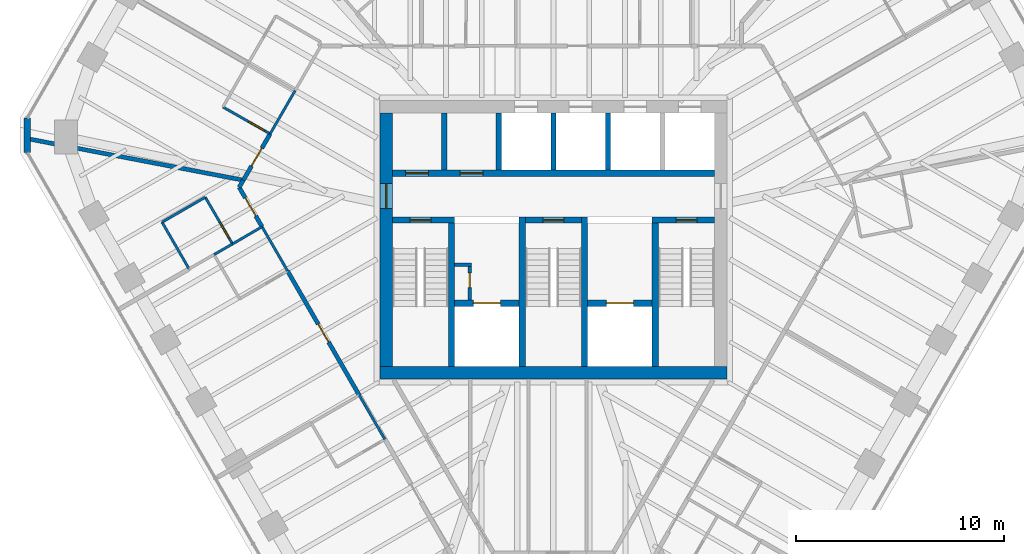
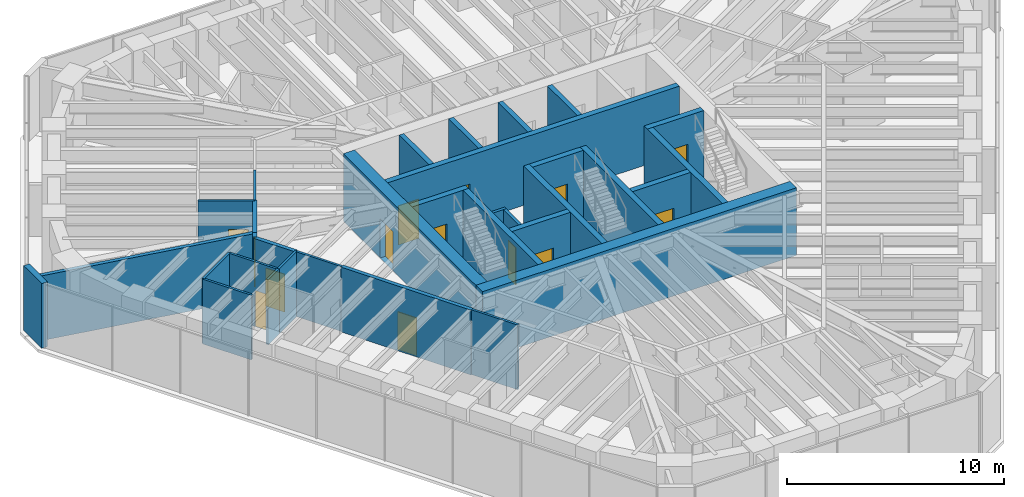
# One storey, part 10 of 14: 33 walls, 14 doors, 14 openings.
"""IFC4 building model written with IfcOpenShell, lengths in metres."""

from ifc_helpers import new_model, si_unit, direction, frame, frame_2d, origin, place, context, subcontext, project, spatial, rectangle, extrude, material, layer, layer_set, type_object, element, fill, save


model = new_model("IFC4")

# Units and contexts
model_context = context("Model", 3, precision=1e-05, world=origin(), true_north=direction((0.0, 1.0)))
body_context = subcontext(model_context, "Body", "Model", "MODEL_VIEW")
ifc_project = project(units=[si_unit("LENGTHUNIT", "METRE"), si_unit("AREAUNIT", "SQUARE_METRE"), si_unit("VOLUMEUNIT", "CUBIC_METRE"), si_unit("PLANEANGLEUNIT", "RADIAN"), si_unit("MASSUNIT", "GRAM", prefix="KILO")], contexts=[model_context])

# Site, building, storey
site_placement = place(None, origin())
site = spatial("IfcSite", under=ifc_project, at=site_placement, CompositionType="ELEMENT")
building_placement = place(site_placement, origin())
building = spatial("IfcBuilding", under=site, at=building_placement, Name="Sandreach Pilgrim Tower", CompositionType="ELEMENT")
storey_placement = place(building_placement, frame((0.0, 0.0, 264.60009765625)))
storey = spatial("IfcBuildingStorey", under=building, at=storey_placement, Name="L66", CompositionType="ELEMENT", Elevation=264.60009765625)

# Walls
ifc_material_1 = material(Name="Moisture-resistant gypsum board on steel studs", Category="steel")
ifc_layer_1 = layer(ifc_material_1, 0.1201171875)
ifc_layer_set_1 = layer_set([ifc_layer_1], Name="Bathroom partition 120")
wall_type_1 = type_object("IfcWallType", Name="Bathroom partition 120", PredefinedType="PARTITIONING", material=ifc_layer_set_1)
wall_1_placement = place(storey_placement, frame((-18.830078125, 0.85009765625, 0.0), z_axis=(0.0, 0.0, 1.0), x_axis=(0.50025099007, -0.865880446098, 0.0)))
element("IfcWall", 1, at=wall_1_placement, inside=storey, type_object=wall_type_1, Name="Bathroom partition L66-004", PredefinedType="PARTITIONING", context=body_context, shape_type="SweptSolid", body=[
    extrude(rectangle(XDim=2.598876953125, YDim=0.1201171875, at=frame_2d((1.29931640625, 0.0))), origin(), (0.0, 0.0, 1.0), 3.639892578125),
])
wall_2_placement = place(storey_placement, frame((-16.75, 2.050048828125, 0.0), z_axis=(0.0, 0.0, 1.0), x_axis=(-0.866202511239, -0.499693115345, 0.0)))
element("IfcWall", 2, at=wall_2_placement, inside=storey, type_object=wall_type_1, Name="Bathroom partition L66-007", PredefinedType="PARTITIONING", context=body_context, shape_type="SweptSolid", body=[
    extrude(rectangle(XDim=2.4013671875, YDim=0.1201171875, at=frame_2d((1.20068359375, 0.0))), origin(), (0.0, 0.0, 1.0), 3.639892578125),
])
wall_3_placement = place(storey_placement, frame((-16.330078125, -0.7099609375, 0.0), z_axis=(0.0, 0.0, 1.0), x_axis=(0.867671417222, 0.497138121387, 0.0)))
element("IfcWall", 3, at=wall_3_placement, inside=storey, type_object=wall_type_1, Name="Bathroom partition L66-008", PredefinedType="PARTITIONING", context=body_context, shape_type="SweptSolid", body=[
    extrude(rectangle(XDim=1.02587890625, YDim=0.1201171875, at=frame_2d((0.512939453125, 0.0))), origin(), (0.0, 0.0, 1.0), 3.639892578125),
])

# Wall, opening, door
wall_4_placement = place(storey_placement, frame((-15.89990234375, 6.389892578125, 0.0), z_axis=(0.0, 0.0, 1.0), x_axis=(0.869431908012, -0.494052787999, 0.0)))
wall_4 = element("IfcWall", 4, at=wall_4_placement, inside=storey, type_object=wall_type_1, Name="Bathroom partition L66-011", PredefinedType="PARTITIONING", context=body_context, shape_type="SweptSolid", body=[
    extrude(rectangle(XDim=2.610595703125, YDim=0.1201171875, at=frame_2d((1.30517578125, 0.0))), origin(), (0.0, 0.0, 1.0), 3.639892578125),
])
opening_1_placement = place(wall_4_placement, frame((1.410888671875, 0.0, 0.0)))
opening_1 = element("IfcOpeningElement", 5, at=opening_1_placement, cuts=wall_4, Name="Opening D09-16B", PredefinedType="OPENING", context=body_context, shape_type="SweptSolid", body=[
    extrude(rectangle(XDim=0.89990234375, YDim=2.030029296875, at=frame_2d((0.449951171875, 1.01513671875))), frame((0.0, 0.06005859375, 0.0), z_axis=(0.0, -1.0, 0.0), x_axis=(1.0, 0.0, 0.0)), (0.0, 0.0, 1.0), 0.1201171875),
])
ifc_material_2 = material(Name="Timber door, steel frame", Category="steel")
door_type_1 = type_object("IfcDoorType", Name="Bathroom door", OperationType="SINGLE_SWING_LEFT", PredefinedType="DOOR", material=ifc_material_2)
door_1_placement = place(opening_1_placement, origin())
door_1 = element("IfcDoor", 6, at=door_1_placement, inside=storey, type_object=door_type_1, Name="Door 6616B", OperationType="SINGLE_SWING_RIGHT", OverallHeight=2.030029296875, OverallWidth=0.89990234375, PredefinedType="DOOR", context=body_context, shape_type="SweptSolid", body=[
    extrude(rectangle(XDim=0.89990234375, YDim=2.030029296875, at=frame_2d((0.449951171875, 1.01513671875))), frame((0.0, 0.02490234375, 0.0), z_axis=(0.0, -1.0, 0.0), x_axis=(1.0, 0.0, 0.0)), (0.0, 0.0, 1.0), 0.050048828125),
])
fill(opening_1, door_1)

wall_5_placement = place(storey_placement, frame((-15.43994140625, -0.199951171875, 0.0), z_axis=(0.0, 0.0, 1.0), x_axis=(-0.503171227198, 0.864186736834, 0.0)))
wall_5 = element("IfcWall", 7, at=wall_5_placement, inside=storey, type_object=wall_type_1, Name="Bathroom partition L66-012", PredefinedType="PARTITIONING", context=body_context, shape_type="SweptSolid", body=[
    extrude(rectangle(XDim=2.603515625, YDim=0.1201171875, at=frame_2d((1.3017578125, 0.0))), origin(), (0.0, 0.0, 1.0), 3.639892578125),
])
opening_2_placement = place(wall_5_placement, frame((0.300048828125, 0.0, 0.0)))
opening_2 = element("IfcOpeningElement", 8, at=opening_2_placement, cuts=wall_5, Name="Opening D09-15B", PredefinedType="OPENING", context=body_context, shape_type="SweptSolid", body=[
    extrude(rectangle(XDim=0.89990234375, YDim=2.030029296875, at=frame_2d((0.449951171875, 1.01513671875))), frame((0.0, 0.06005859375, 0.0), z_axis=(0.0, -1.0, 0.0), x_axis=(1.0, 0.0, 0.0)), (0.0, 0.0, 1.0), 0.1201171875),
])
door_2_placement = place(opening_2_placement, origin())
door_2 = element("IfcDoor", 9, at=door_2_placement, inside=storey, type_object=door_type_1, Name="Door 6615B", OperationType="SINGLE_SWING_LEFT", OverallHeight=2.030029296875, OverallWidth=0.89990234375, PredefinedType="DOOR", context=body_context, shape_type="SweptSolid", body=[
    extrude(rectangle(XDim=0.89990234375, YDim=2.030029296875, at=frame_2d((0.449951171875, 1.01513671875))), frame((0.0, 0.02490234375, 0.0), z_axis=(0.0, -1.0, 0.0), x_axis=(1.0, 0.0, 0.0)), (0.0, 0.0, 1.0), 0.050048828125),
])
fill(opening_2, door_2)

# Walls
wall_6_placement = place(storey_placement, frame((-15.43994140625, -0.199951171875, 0.0), z_axis=(0.0, 0.0, 1.0), x_axis=(0.863304753898, 0.504682971673, 0.0)))
element("IfcWall", 10, at=wall_6_placement, inside=storey, type_object=wall_type_1, Name="Bathroom partition L66-013", PredefinedType="PARTITIONING", context=body_context, shape_type="SweptSolid", body=[
    extrude(rectangle(XDim=1.644775390625, YDim=0.1201171875, at=frame_2d((0.822265625, 0.0))), origin(), (0.0, 0.0, 1.0), 3.639892578125),
])
wall_7_placement = place(storey_placement, frame((-14.02001953125, 0.6298828125, 0.0), z_axis=(0.0, 0.0, 1.0), x_axis=(0.500089055364, -0.86597398154, 0.0)))
element("IfcWall", 11, at=wall_7_placement, inside=storey, type_object=wall_type_1, Name="Bathroom partition L66-020", PredefinedType="PARTITIONING", context=body_context, shape_type="SweptSolid", body=[
    extrude(rectangle(XDim=2.45947265625, YDim=0.1201171875, at=frame_2d((1.229736328125, 0.0))), origin(), (0.0, 0.0, 1.0), 3.639892578125),
])
wall_8_placement = place(storey_placement, frame((-13.6298828125, 5.10009765625, 0.0), z_axis=(0.0, 0.0, 1.0), x_axis=(0.499737123639, 0.866177122335, 0.0)))
element("IfcWall", 12, at=wall_8_placement, inside=storey, type_object=wall_type_1, Name="Bathroom partition L66-021", PredefinedType="PARTITIONING", context=body_context, shape_type="SweptSolid", body=[
    extrude(rectangle(XDim=2.401123046875, YDim=0.1201171875, at=frame_2d((1.20068359375, 0.0))), origin(), (0.0, 0.0, 1.0), 3.639892578125),
])
wall_9_placement = place(storey_placement, frame((-9.340087890625, -7.47998046875, 0.0), z_axis=(0.0, 0.0, 1.0), x_axis=(0.501813488763, -0.864975850817, 0.0)))
element("IfcWall", 13, at=wall_9_placement, inside=storey, type_object=wall_type_1, Name="Bathroom partition L66-034", PredefinedType="PARTITIONING", context=body_context, shape_type="SweptSolid", body=[
    extrude(rectangle(XDim=2.451171875, YDim=0.1201171875, at=frame_2d((1.2255859375, 0.0))), origin(), (0.0, 0.0, 1.0), 3.639892578125),
])
ifc_material_3 = material(Name="Concrete 10000 psi", Category="concrete")
ifc_layer_2 = layer(ifc_material_3, 0.300048828125)
ifc_layer_set_2 = layer_set([ifc_layer_2], Name="Core inner wall 300")
wall_type_2 = type_object("IfcWallType", Name="Core inner wall 300", PredefinedType="SHEAR", material=ifc_layer_set_2)
for number, where, z_axis, x_axis, name in (
    (14, (-4.89990234375, -6.10009765625, 0.0), (0.0, 0.0, 1.0), (0.0, 1.0, 0.0), "Core wall I0 L66"),
    (15, (-1.5, -6.10009765625, 0.0), (0.0, 0.0, 1.0), (0.0, 1.0, 0.0), "Core wall I1 L66"),
    (16, (1.5, -6.10009765625, 0.0), (0.0, 0.0, 1.0), (0.0, 1.0, 0.0), "Core wall I2 L66"),
    (17, (4.89990234375, -6.10009765625, 0.0), (0.0, 0.0, 1.0), (0.0, 1.0, 0.0), "Core wall I3 L66"),
):
    element("IfcWall", number, at=place(storey_placement, frame(where, z_axis=z_axis, x_axis=x_axis)), inside=storey, type_object=wall_type_2, Name=name, PredefinedType="SHEAR", context=body_context, shape_type="SweptSolid", body=[
        extrude(rectangle(XDim=7.2001953125, YDim=0.300048828125, at=frame_2d((3.60009765625, 0.0))), origin(), (0.0, 0.0, 1.0), 3.7998046875),
    ])

# Wall, opening, door
wall_10_placement = place(storey_placement, frame((-7.75, 0.949951171875, 0.0), z_axis=(0.0, 0.0, 1.0), x_axis=(1.0, 0.0, 0.0)))
wall_10 = element("IfcWall", 18, at=wall_10_placement, inside=storey, type_object=wall_type_2, Name="Core wall SN1 L66", PredefinedType="SHEAR", context=body_context, shape_type="SweptSolid", body=[
    extrude(rectangle(XDim=3.0, YDim=0.300048828125, at=frame_2d((1.5, 0.0))), origin(), (0.0, 0.0, 1.0), 3.7998046875),
])
opening_3_placement = place(wall_10_placement, frame((0.85009765625, 0.0, 0.0)))
opening_3 = element("IfcOpeningElement", 19, at=opening_3_placement, cuts=wall_10, Name="Opening D10S-ST1", PredefinedType="OPENING", context=body_context, shape_type="SweptSolid", body=[
    extrude(rectangle(XDim=1.0, YDim=2.199951171875, at=frame_2d((0.5, 1.10009765625))), frame((0.0, 0.14990234375, 0.0), z_axis=(0.0, -1.0, 0.0), x_axis=(1.0, 0.0, 0.0)), (0.0, 0.0, 1.0), 0.300048828125),
])
ifc_material_4 = material(Name="Steel door and frame", Category="steel")
door_type_2 = type_object("IfcDoorType", Name="Stair door", OperationType="SINGLE_SWING_LEFT", PredefinedType="DOOR", material=ifc_material_4)
door_3_placement = place(opening_3_placement, origin())
door_3 = element("IfcDoor", 20, at=door_3_placement, inside=storey, type_object=door_type_2, Name="Stair door ST1 L66", OperationType="SINGLE_SWING_LEFT", OverallHeight=2.199951171875, OverallWidth=1.0, PredefinedType="DOOR", context=body_context, shape_type="SweptSolid", body=[
    extrude(rectangle(XDim=1.0, YDim=2.199951171875, at=frame_2d((0.5, 1.10009765625))), frame((0.0, 0.02490234375, 0.0), z_axis=(0.0, -1.0, 0.0), x_axis=(1.0, 0.0, 0.0)), (0.0, 0.0, 1.0), 0.050048828125),
])
fill(opening_3, door_3)

wall_11_placement = place(storey_placement, frame((-1.35009765625, 0.949951171875, 0.0), z_axis=(0.0, 0.0, 1.0), x_axis=(1.0, 0.0, 0.0)))
wall_11 = element("IfcWall", 21, at=wall_11_placement, inside=storey, type_object=wall_type_2, Name="Core wall SN3 L66", PredefinedType="SHEAR", context=body_context, shape_type="SweptSolid", body=[
    extrude(rectangle(XDim=2.7001953125, YDim=0.300048828125, at=frame_2d((1.35009765625, 0.0))), origin(), (0.0, 0.0, 1.0), 3.7998046875),
])
opening_4_placement = place(wall_11_placement, frame((0.85009765625, 0.0, 0.0)))
opening_4 = element("IfcOpeningElement", 22, at=opening_4_placement, cuts=wall_11, Name="Opening D10S-ST3", PredefinedType="OPENING", context=body_context, shape_type="SweptSolid", body=[
    extrude(rectangle(XDim=1.0, YDim=2.199951171875, at=frame_2d((0.5, 1.10009765625))), frame((0.0, 0.14990234375, 0.0), z_axis=(0.0, -1.0, 0.0), x_axis=(1.0, 0.0, 0.0)), (0.0, 0.0, 1.0), 0.300048828125),
])
door_4_placement = place(opening_4_placement, origin())
door_4 = element("IfcDoor", 23, at=door_4_placement, inside=storey, type_object=door_type_2, Name="Stair door ST3 L66", OperationType="SINGLE_SWING_LEFT", OverallHeight=2.199951171875, OverallWidth=1.0, PredefinedType="DOOR", context=body_context, shape_type="SweptSolid", body=[
    extrude(rectangle(XDim=1.0, YDim=2.199951171875, at=frame_2d((0.5, 1.10009765625))), frame((0.0, 0.02490234375, 0.0), z_axis=(0.0, -1.0, 0.0), x_axis=(1.0, 0.0, 0.0)), (0.0, 0.0, 1.0), 0.050048828125),
])
fill(opening_4, door_4)

wall_12_placement = place(storey_placement, frame((4.75, 0.949951171875, 0.0), z_axis=(0.0, 0.0, 1.0), x_axis=(1.0, 0.0, 0.0)))
wall_12 = element("IfcWall", 24, at=wall_12_placement, inside=storey, type_object=wall_type_2, Name="Core wall SN2 L66", PredefinedType="SHEAR", context=body_context, shape_type="SweptSolid", body=[
    extrude(rectangle(XDim=3.0, YDim=0.300048828125, at=frame_2d((1.5, 0.0))), origin(), (0.0, 0.0, 1.0), 3.7998046875),
])
opening_5_placement = place(wall_12_placement, frame((1.14990234375, 0.0, 0.0)))
opening_5 = element("IfcOpeningElement", 25, at=opening_5_placement, cuts=wall_12, Name="Opening D10S-ST2", PredefinedType="OPENING", context=body_context, shape_type="SweptSolid", body=[
    extrude(rectangle(XDim=1.0, YDim=2.199951171875, at=frame_2d((0.5, 1.10009765625))), frame((0.0, 0.14990234375, 0.0), z_axis=(0.0, -1.0, 0.0), x_axis=(1.0, 0.0, 0.0)), (0.0, 0.0, 1.0), 0.300048828125),
])
door_5_placement = place(opening_5_placement, origin())
door_5 = element("IfcDoor", 26, at=door_5_placement, inside=storey, type_object=door_type_2, Name="Stair door ST2 L66", OperationType="SINGLE_SWING_RIGHT", OverallHeight=2.199951171875, OverallWidth=1.0, PredefinedType="DOOR", context=body_context, shape_type="SweptSolid", body=[
    extrude(rectangle(XDim=1.0, YDim=2.199951171875, at=frame_2d((0.5, 1.10009765625))), frame((0.0, 0.02490234375, 0.0), z_axis=(0.0, -1.0, 0.0), x_axis=(1.0, 0.0, 0.0)), (0.0, 0.0, 1.0), 0.050048828125),
])
fill(opening_5, door_5)

wall_13_placement = place(storey_placement, frame((-4.75, -3.050048828125, 0.0), z_axis=(0.0, 0.0, 1.0), x_axis=(1.0, 0.0, 0.0)))
wall_13 = element("IfcWall", 27, at=wall_13_placement, inside=storey, type_object=wall_type_2, Name="Core wall FL1 L66", PredefinedType="SHEAR", context=body_context, shape_type="SweptSolid", body=[
    extrude(rectangle(XDim=3.10009765625, YDim=0.300048828125, at=frame_2d((1.550048828125, 0.0))), origin(), (0.0, 0.0, 1.0), 3.7998046875),
])
opening_6_placement = place(wall_13_placement, frame((0.89990234375, 0.0, 0.0)))
opening_6 = element("IfcOpeningElement", 28, at=opening_6_placement, cuts=wall_13, Name="Opening LD13", PredefinedType="OPENING", context=body_context, shape_type="SweptSolid", body=[
    extrude(rectangle(XDim=1.300048828125, YDim=2.10009765625, at=frame_2d((0.64990234375, 1.050048828125))), frame((0.0, 0.14990234375, 0.0), z_axis=(0.0, -1.0, 0.0), x_axis=(1.0, 0.0, 0.0)), (0.0, 0.0, 1.0), 0.300048828125),
])
ifc_material_5 = material(Name="Steel door and frame", Category="steel")
door_type_3 = type_object("IfcDoorType", Name="Fire service lift landing door", OperationType="DOUBLE_DOOR_SLIDING", PredefinedType="DOOR", material=ifc_material_5)
door_6_placement = place(opening_6_placement, origin())
door_6 = element("IfcDoor", 29, at=door_6_placement, inside=storey, type_object=door_type_3, Name="Lift landing door FS1 L66", OperationType="DOUBLE_DOOR_SLIDING", OverallHeight=2.10009765625, OverallWidth=1.300048828125, PredefinedType="DOOR", context=body_context, shape_type="SweptSolid", body=[
    extrude(rectangle(XDim=1.300048828125, YDim=2.10009765625, at=frame_2d((0.64990234375, 1.050048828125))), frame((0.0, 0.02490234375, 0.0), z_axis=(0.0, -1.0, 0.0), x_axis=(1.0, 0.0, 0.0)), (0.0, 0.0, 1.0), 0.050048828125),
])
fill(opening_6, door_6)

wall_14_placement = place(storey_placement, frame((1.64990234375, -3.050048828125, 0.0), z_axis=(0.0, 0.0, 1.0), x_axis=(1.0, 0.0, 0.0)))
wall_14 = element("IfcWall", 30, at=wall_14_placement, inside=storey, type_object=wall_type_2, Name="Core wall FL2 L66", PredefinedType="SHEAR", context=body_context, shape_type="SweptSolid", body=[
    extrude(rectangle(XDim=3.10009765625, YDim=0.300048828125, at=frame_2d((1.550048828125, 0.0))), origin(), (0.0, 0.0, 1.0), 3.7998046875),
])
opening_7_placement = place(wall_14_placement, frame((0.89990234375, 0.0, 0.0)))
opening_7 = element("IfcOpeningElement", 31, at=opening_7_placement, cuts=wall_14, Name="Opening LD13", PredefinedType="OPENING", context=body_context, shape_type="SweptSolid", body=[
    extrude(rectangle(XDim=1.300048828125, YDim=2.10009765625, at=frame_2d((0.64990234375, 1.050048828125))), frame((0.0, 0.14990234375, 0.0), z_axis=(0.0, -1.0, 0.0), x_axis=(1.0, 0.0, 0.0)), (0.0, 0.0, 1.0), 0.300048828125),
])
door_7_placement = place(opening_7_placement, origin())
door_7 = element("IfcDoor", 32, at=door_7_placement, inside=storey, type_object=door_type_3, Name="Lift landing door FS2 L66", OperationType="DOUBLE_DOOR_SLIDING", OverallHeight=2.10009765625, OverallWidth=1.300048828125, PredefinedType="DOOR", context=body_context, shape_type="SweptSolid", body=[
    extrude(rectangle(XDim=1.300048828125, YDim=2.10009765625, at=frame_2d((0.64990234375, 1.050048828125))), frame((0.0, 0.02490234375, 0.0), z_axis=(0.0, -1.0, 0.0), x_axis=(1.0, 0.0, 0.0)), (0.0, 0.0, 1.0), 0.050048828125),
])
fill(opening_7, door_7)

# Wall, openings, doors
wall_15_placement = place(storey_placement, frame((-7.75, 3.199951171875, 0.0), z_axis=(0.0, 0.0, 1.0), x_axis=(1.0, 0.0, 0.0)))
wall_15 = element("IfcWall", 33, at=wall_15_placement, inside=storey, type_object=wall_type_2, Name="Core wall PN L66", PredefinedType="SHEAR", context=body_context, shape_type="SweptSolid", body=[
    extrude(rectangle(XDim=15.5, YDim=0.300048828125, at=frame_2d((7.75, 0.0))), origin(), (0.0, 0.0, 1.0), 3.7998046875),
])
opening_8_placement = place(wall_15_placement, frame((0.637451171875, 0.0, 0.0)))
opening_8 = element("IfcOpeningElement", 34, at=opening_8_placement, cuts=wall_15, Name="Opening D11L", PredefinedType="OPENING", context=body_context, shape_type="SweptSolid", body=[
    extrude(rectangle(XDim=1.10009765625, YDim=2.199951171875, at=frame_2d((0.550048828125, 1.10009765625))), frame((0.0, 0.14990234375, 0.0), z_axis=(0.0, -1.0, 0.0), x_axis=(1.0, 0.0, 0.0)), (0.0, 0.0, 1.0), 0.300048828125),
])
opening_9_placement = place(wall_15_placement, frame((3.262451171875, 0.0, 0.0)))
opening_9 = element("IfcOpeningElement", 35, at=opening_9_placement, cuts=wall_15, Name="Opening D11L", PredefinedType="OPENING", context=body_context, shape_type="SweptSolid", body=[
    extrude(rectangle(XDim=1.10009765625, YDim=2.199951171875, at=frame_2d((0.550048828125, 1.10009765625))), frame((0.0, 0.14990234375, 0.0), z_axis=(0.0, -1.0, 0.0), x_axis=(1.0, 0.0, 0.0)), (0.0, 0.0, 1.0), 0.300048828125),
])
ifc_material_6 = material(Name="Steel door and frame, smoke seals", Category="steel")
door_type_4 = type_object("IfcDoorType", Name="Core room door", OperationType="SINGLE_SWING_LEFT", PredefinedType="DOOR", material=ifc_material_6)
door_8_placement = place(opening_8_placement, origin())
door_8 = element("IfcDoor", 36, at=door_8_placement, inside=storey, type_object=door_type_4, Name="Door butler pantry 66K1", OperationType="SINGLE_SWING_LEFT", OverallHeight=2.199951171875, OverallWidth=1.10009765625, PredefinedType="DOOR", context=body_context, shape_type="SweptSolid", body=[
    extrude(rectangle(XDim=1.10009765625, YDim=2.199951171875, at=frame_2d((0.550048828125, 1.10009765625))), frame((0.0, 0.02490234375, 0.0), z_axis=(0.0, -1.0, 0.0), x_axis=(1.0, 0.0, 0.0)), (0.0, 0.0, 1.0), 0.050048828125),
])
fill(opening_8, door_8)
door_9_placement = place(opening_9_placement, origin())
door_9 = element("IfcDoor", 37, at=door_9_placement, inside=storey, type_object=door_type_4, Name="Door storage room 66K2", OperationType="SINGLE_SWING_LEFT", OverallHeight=2.199951171875, OverallWidth=1.10009765625, PredefinedType="DOOR", context=body_context, shape_type="SweptSolid", body=[
    extrude(rectangle(XDim=1.10009765625, YDim=2.199951171875, at=frame_2d((0.550048828125, 1.10009765625))), frame((0.0, 0.02490234375, 0.0), z_axis=(0.0, -1.0, 0.0), x_axis=(1.0, 0.0, 0.0)), (0.0, 0.0, 1.0), 0.050048828125),
])
fill(opening_9, door_9)

# Wall
ifc_material_7 = material(Name="Concrete 10000 psi", Category="concrete")
ifc_layer_3 = layer(ifc_material_7, 0.60009765625)
ifc_layer_set_3 = layer_set([ifc_layer_3], Name="Core wall 600")
wall_type_3 = type_object("IfcWallType", Name="Core wall 600", PredefinedType="SHEAR", material=ifc_layer_set_3)
wall_16_placement = place(storey_placement, frame((-8.35009765625, -6.39990234375, 0.0), z_axis=(0.0, 0.0, 1.0), x_axis=(1.0, 0.0, 0.0)))
element("IfcWall", 38, at=wall_16_placement, inside=storey, type_object=wall_type_3, Name="Core wall S L66", PredefinedType="SHEAR", context=body_context, shape_type="SweptSolid", body=[
    extrude(rectangle(XDim=16.7001953125, YDim=0.60009765625, at=frame_2d((8.35009765625, 0.0))), origin(), (0.0, 0.0, 1.0), 3.7998046875),
])

# Wall, opening, door
wall_17_placement = place(storey_placement, frame((-8.050048828125, -6.10009765625, 0.0), z_axis=(0.0, 0.0, 1.0), x_axis=(0.0, 1.0, 0.0)))
wall_17 = element("IfcWall", 39, at=wall_17_placement, inside=storey, type_object=wall_type_3, Name="Core wall W L66", PredefinedType="SHEAR", context=body_context, shape_type="SweptSolid", body=[
    extrude(rectangle(XDim=12.2001953125, YDim=0.60009765625, at=frame_2d((6.10009765625, 0.0))), origin(), (0.0, 0.0, 1.0), 3.7998046875),
])
opening_10_placement = place(wall_17_placement, frame((7.60009765625, 0.0, 0.0)))
opening_10 = element("IfcOpeningElement", 40, at=opening_10_placement, cuts=wall_17, Name="Opening D12F-W", PredefinedType="OPENING", context=body_context, shape_type="SweptSolid", body=[
    extrude(rectangle(XDim=1.199951171875, YDim=2.199951171875, at=frame_2d((0.60009765625, 1.10009765625))), frame((0.0, 0.300048828125, 0.0), z_axis=(0.0, -1.0, 0.0), x_axis=(1.0, 0.0, 0.0)), (0.0, 0.0, 1.0), 0.60009765625),
])
ifc_material_8 = material(Name="Steel door and frame", Category="steel")
door_type_5 = type_object("IfcDoorType", Name="Fire lobby door", OperationType="SINGLE_SWING_LEFT", PredefinedType="DOOR", material=ifc_material_8)
door_10_placement = place(opening_10_placement, origin())
door_10 = element("IfcDoor", 41, at=door_10_placement, inside=storey, type_object=door_type_5, Name="Fire service lobby door W L66", OperationType="SINGLE_SWING_RIGHT", OverallHeight=2.199951171875, OverallWidth=1.199951171875, PredefinedType="DOOR", context=body_context, shape_type="SweptSolid", body=[
    extrude(rectangle(XDim=1.199951171875, YDim=2.199951171875, at=frame_2d((0.60009765625, 1.10009765625))), frame((0.0, 0.02490234375, 0.0), z_axis=(0.0, -1.0, 0.0), x_axis=(1.0, 0.0, 0.0)), (0.0, 0.0, 1.0), 0.050048828125),
])
fill(opening_10, door_10)

# Wall
ifc_material_9 = material(Name="Gypsum board on steel studs, two layers each side", Category="steel")
ifc_layer_4 = layer(ifc_material_9, 0.199951171875)
ifc_layer_set_4 = layer_set([ifc_layer_4], Name="Corridor wall 200")
wall_type_4 = type_object("IfcWallType", Name="Corridor wall 200", PredefinedType="PARTITIONING", material=ifc_layer_set_4)
wall_18_placement = place(storey_placement, frame((-15.1201171875, 2.530029296875, 0.0), z_axis=(0.0, 0.0, 1.0), x_axis=(0.507290461451, 0.861775137562, 0.0)))
element("IfcWall", 42, at=wall_18_placement, inside=storey, type_object=wall_type_4, Name="Corridor wall L66-014", PredefinedType="PARTITIONING", context=body_context, shape_type="SweptSolid", body=[
    extrude(rectangle(XDim=0.39453125, YDim=0.199951171875, at=frame_2d((0.197265625, 0.0))), origin(), (0.0, 0.0, 1.0), 3.639892578125),
])

# Wall, opening, door
wall_19_placement = place(storey_placement, frame((-15.1201171875, 2.530029296875, 0.0), z_axis=(0.0, 0.0, 1.0), x_axis=(0.501088872721, -0.865395829453, 0.0)))
wall_19 = element("IfcWall", 43, at=wall_19_placement, inside=storey, type_object=wall_type_4, Name="Corridor wall L66-015", PredefinedType="PARTITIONING", context=body_context, shape_type="SweptSolid", body=[
    extrude(rectangle(XDim=2.1953125, YDim=0.199951171875, at=frame_2d((1.09765625, 0.0))), origin(), (0.0, 0.0, 1.0), 3.639892578125),
])
opening_11_placement = place(wall_19_placement, frame((0.59765625, 0.0, 0.0)))
opening_11 = element("IfcOpeningElement", 44, at=opening_11_placement, cuts=wall_19, Name="Opening D10-15", PredefinedType="OPENING", context=body_context, shape_type="SweptSolid", body=[
    extrude(rectangle(XDim=1.0, YDim=2.1298828125, at=frame_2d((0.5, 1.06494140625))), frame((0.0, 0.10009765625, 0.0), z_axis=(0.0, -1.0, 0.0), x_axis=(1.0, 0.0, 0.0)), (0.0, 0.0, 1.0), 0.199951171875),
])
ifc_material_10 = material(Name="Steel door and frame", Category="steel")
door_type_6 = type_object("IfcDoorType", Name="Guest room entry door", OperationType="SINGLE_SWING_LEFT", PredefinedType="DOOR", material=ifc_material_10)
door_11_placement = place(opening_11_placement, origin())
door_11 = element("IfcDoor", 45, at=door_11_placement, inside=storey, type_object=door_type_6, Name="Door 6615", OperationType="SINGLE_SWING_LEFT", OverallHeight=2.1298828125, OverallWidth=1.0, PredefinedType="DOOR", context=body_context, shape_type="SweptSolid", body=[
    extrude(rectangle(XDim=1.0, YDim=2.1298828125, at=frame_2d((0.5, 1.06494140625))), frame((0.0, 0.02490234375, 0.0), z_axis=(0.0, -1.0, 0.0), x_axis=(1.0, 0.0, 0.0)), (0.0, 0.0, 1.0), 0.050048828125),
])
fill(opening_11, door_11)

wall_20_placement = place(storey_placement, frame((-14.919921875, 2.8701171875, 0.0), z_axis=(0.0, 0.0, 1.0), x_axis=(0.500714932888, 0.865612243434, 0.0)))
wall_20 = element("IfcWall", 46, at=wall_20_placement, inside=storey, type_object=wall_type_4, Name="Corridor wall L66-017", PredefinedType="PARTITIONING", context=body_context, shape_type="SweptSolid", body=[
    extrude(rectangle(XDim=2.575927734375, YDim=0.199951171875, at=frame_2d((1.2880859375, 0.0))), origin(), (0.0, 0.0, 1.0), 3.639892578125),
])
opening_12_placement = place(wall_20_placement, frame((0.7880859375, 0.0, 0.0)))
opening_12 = element("IfcOpeningElement", 47, at=opening_12_placement, cuts=wall_20, Name="Opening D10-16", PredefinedType="OPENING", context=body_context, shape_type="SweptSolid", body=[
    extrude(rectangle(XDim=1.0, YDim=2.1298828125, at=frame_2d((0.5, 1.06494140625))), frame((0.0, 0.10009765625, 0.0), z_axis=(0.0, -1.0, 0.0), x_axis=(1.0, 0.0, 0.0)), (0.0, 0.0, 1.0), 0.199951171875),
])
door_12_placement = place(opening_12_placement, origin())
door_12 = element("IfcDoor", 48, at=door_12_placement, inside=storey, type_object=door_type_6, Name="Door 6616", OperationType="SINGLE_SWING_LEFT", OverallHeight=2.1298828125, OverallWidth=1.0, PredefinedType="DOOR", context=body_context, shape_type="SweptSolid", body=[
    extrude(rectangle(XDim=1.0, YDim=2.1298828125, at=frame_2d((0.5, 1.06494140625))), frame((0.0, 0.02490234375, 0.0), z_axis=(0.0, -1.0, 0.0), x_axis=(1.0, 0.0, 0.0)), (0.0, 0.0, 1.0), 0.050048828125),
])
fill(opening_12, door_12)

wall_21_placement = place(storey_placement, frame((-12.7900390625, -1.5, 0.0), z_axis=(0.0, 0.0, 1.0), x_axis=(0.499718371597, -0.866187940974, 0.0)))
wall_21 = element("IfcWall", 49, at=wall_21_placement, inside=storey, type_object=wall_type_4, Name="Corridor wall L66-023", PredefinedType="PARTITIONING", context=body_context, shape_type="SweptSolid", body=[
    extrude(rectangle(XDim=6.90380859375, YDim=0.199951171875, at=frame_2d((3.451904296875, 0.0))), origin(), (0.0, 0.0, 1.0), 3.639892578125),
])
opening_13_placement = place(wall_21_placement, frame((2.951904296875, 0.0, 0.0)))
opening_13 = element("IfcOpeningElement", 50, at=opening_13_placement, cuts=wall_21, Name="Opening D10-14", PredefinedType="OPENING", context=body_context, shape_type="SweptSolid", body=[
    extrude(rectangle(XDim=1.0, YDim=2.1298828125, at=frame_2d((0.5, 1.06494140625))), frame((0.0, 0.10009765625, 0.0), z_axis=(0.0, -1.0, 0.0), x_axis=(1.0, 0.0, 0.0)), (0.0, 0.0, 1.0), 0.199951171875),
])
door_13_placement = place(opening_13_placement, origin())
door_13 = element("IfcDoor", 51, at=door_13_placement, inside=storey, type_object=door_type_6, Name="Door 6614", OperationType="SINGLE_SWING_LEFT", OverallHeight=2.1298828125, OverallWidth=1.0, PredefinedType="DOOR", context=body_context, shape_type="SweptSolid", body=[
    extrude(rectangle(XDim=1.0, YDim=2.1298828125, at=frame_2d((0.5, 1.06494140625))), frame((0.0, 0.02490234375, 0.0), z_axis=(0.0, -1.0, 0.0), x_axis=(1.0, 0.0, 0.0)), (0.0, 0.0, 1.0), 0.050048828125),
])
fill(opening_13, door_13)

# Wall
ifc_material_11 = material(Name="Double steel stud acoustic wall, gypsum board", Category="steel")
ifc_layer_5 = layer(ifc_material_11, 0.199951171875)
ifc_layer_set_5 = layer_set([ifc_layer_5], Name="Party wall 200")
wall_type_5 = type_object("IfcWallType", Name="Party wall 200", PredefinedType="PARTITIONING", material=ifc_layer_set_5)
wall_22_placement = place(storey_placement, frame((-25.340576171875, 4.874267578125, 0.0), z_axis=(0.0, 0.0, 1.0), x_axis=(0.982001168061, -0.188874841966, 0.0)))
element("IfcWall", 52, at=wall_22_placement, inside=storey, type_object=wall_type_5, Name="Party wall L66-001", PredefinedType="PARTITIONING", context=body_context, shape_type="SweptSolid", body=[
    extrude(rectangle(XDim=10.556640625, YDim=0.199951171875, at=frame_2d((5.2783203125, 0.0))), origin(), (0.0, 0.0, 1.0), 3.639892578125),
])

# Wall, opening, door
ifc_material_12 = material(Name="Gypsum shaft wall on steel studs, shaft liner board", Category="steel")
ifc_layer_6 = layer(ifc_material_12, 0.14990234375)
ifc_layer_set_6 = layer_set([ifc_layer_6], Name="Riser shaft wall 150")
wall_type_6 = type_object("IfcWallType", Name="Riser shaft wall 150", PredefinedType="PARTITIONING", material=ifc_layer_set_6)
wall_23_placement = place(storey_placement, frame((-4.02490234375, -2.89990234375, 0.0), z_axis=(0.0, 0.0, 1.0), x_axis=(0.0, 1.0, 0.0)))
wall_23 = element("IfcWall", 53, at=wall_23_placement, inside=storey, type_object=wall_type_6, Name="Riser partition L66 side", PredefinedType="PARTITIONING", context=body_context, shape_type="SweptSolid", body=[
    extrude(rectangle(XDim=1.77490234375, YDim=0.14990234375, at=frame_2d((0.887451171875, 0.0))), origin(), (0.0, 0.0, 1.0), 3.639892578125),
])
opening_14_placement = place(wall_23_placement, frame((0.60009765625, 0.0, 0.0)))
opening_14 = element("IfcOpeningElement", 54, at=opening_14_placement, cuts=wall_23, Name="Opening D07R", PredefinedType="OPENING", context=body_context, shape_type="SweptSolid", body=[
    extrude(rectangle(XDim=0.699951171875, YDim=2.10009765625, at=frame_2d((0.35009765625, 1.050048828125))), frame((0.0, 0.074951171875, 0.0), z_axis=(0.0, -1.0, 0.0), x_axis=(1.0, 0.0, 0.0)), (0.0, 0.0, 1.0), 0.14990234375),
])
ifc_material_13 = material(Name="Steel door and frame, smoke seals", Category="steel")
door_type_7 = type_object("IfcDoorType", Name="Riser access door", OperationType="SINGLE_SWING_RIGHT", PredefinedType="DOOR", material=ifc_material_13)
door_14_placement = place(opening_14_placement, origin())
door_14 = element("IfcDoor", 55, at=door_14_placement, inside=storey, type_object=door_type_7, Name="Door riser 66ER", OperationType="SINGLE_SWING_RIGHT", OverallHeight=2.10009765625, OverallWidth=0.699951171875, PredefinedType="DOOR", context=body_context, shape_type="SweptSolid", body=[
    extrude(rectangle(XDim=0.699951171875, YDim=2.10009765625, at=frame_2d((0.35009765625, 1.050048828125))), frame((0.0, 0.02490234375, 0.0), z_axis=(0.0, -1.0, 0.0), x_axis=(1.0, 0.0, 0.0)), (0.0, 0.0, 1.0), 0.050048828125),
])
fill(opening_14, door_14)

# Walls
wall_24_placement = place(storey_placement, frame((-4.75, -1.199951171875, 0.0), z_axis=(0.0, 0.0, 1.0), x_axis=(1.0, 0.0, 0.0)))
element("IfcWall", 56, at=wall_24_placement, inside=storey, type_object=wall_type_6, Name="Riser partition L66 front", PredefinedType="PARTITIONING", context=body_context, shape_type="SweptSolid", body=[
    extrude(rectangle(XDim=0.800048828125, YDim=0.14990234375, at=frame_2d((0.39990234375, 0.0))), origin(), (0.0, 0.0, 1.0), 3.639892578125),
])
ifc_material_14 = material(Name="Gypsum shaft wall on steel studs, two layers of shaft liner board", Category="steel")
ifc_layer_7 = layer(ifc_material_14, 0.25)
ifc_layer_set_7 = layer_set([ifc_layer_7], Name="Shaft partition 250")
wall_type_7 = type_object("IfcWallType", Name="Shaft partition 250", PredefinedType="PARTITIONING", material=ifc_layer_set_7)
for number, where, z_axis, x_axis, name in (
    (57, (-5.25, 3.35009765625, 0.0), (0.0, 0.0, 1.0), (0.0, 1.0, 0.0), "Shaft partition NS0 L66"),
    (58, (-2.625, 3.35009765625, 0.0), (0.0, 0.0, 1.0), (0.0, 1.0, 0.0), "Shaft partition NS1 L66"),
    (59, (0.0, 3.35009765625, 0.0), (0.0, 0.0, 1.0), (0.0, 1.0, 0.0), "Shaft partition NS2 L66"),
    (60, (2.625, 3.35009765625, 0.0), (0.0, 0.0, 1.0), (0.0, 1.0, 0.0), "Shaft partition NS3 L66"),
):
    element("IfcWall", number, at=place(storey_placement, frame(where, z_axis=z_axis, x_axis=x_axis)), inside=storey, type_object=wall_type_7, Name=name, PredefinedType="PARTITIONING", context=body_context, shape_type="SweptSolid", body=[
        extrude(rectangle(XDim=2.75, YDim=0.25, at=frame_2d((1.375, 0.0))), origin(), (0.0, 0.0, 1.0), 3.7998046875),
    ])
ifc_material_15 = material(Name="Terracotta rainscreen on concrete", Category="masonry")
ifc_layer_8 = layer(ifc_material_15, 0.300048828125)
ifc_layer_set_8 = layer_set([ifc_layer_8], Name="Terracotta chamfer pier")
wall_type_8 = type_object("IfcWallType", Name="Terracotta chamfer pier", PredefinedType="SOLIDWALL", material=ifc_layer_set_8)
wall_25_placement = place(storey_placement, frame((-25.3193359375, 4.20166015625, 0.0), z_axis=(0.0, 0.0, 1.0), x_axis=(0.0, 1.0, 0.0)))
element("IfcWall", 61, at=wall_25_placement, inside=storey, type_object=wall_type_8, Name="Chamfer pier L66 SW", PredefinedType="SOLIDWALL", context=body_context, shape_type="SweptSolid", body=[
    extrude(rectangle(XDim=1.659912109375, YDim=0.300048828125, at=frame_2d((0.830078125, 0.0))), origin(), (0.0, 0.0, 1.0), 3.639892578125),
])

save(model, "model.ifc")
